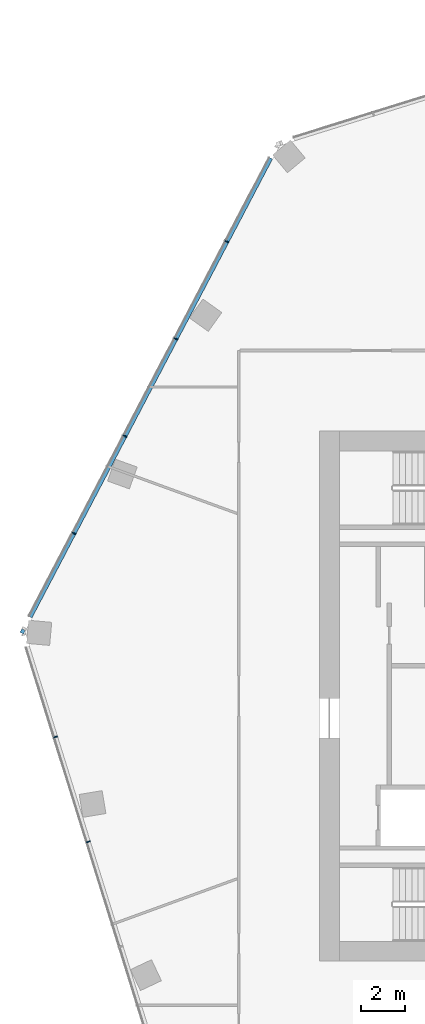
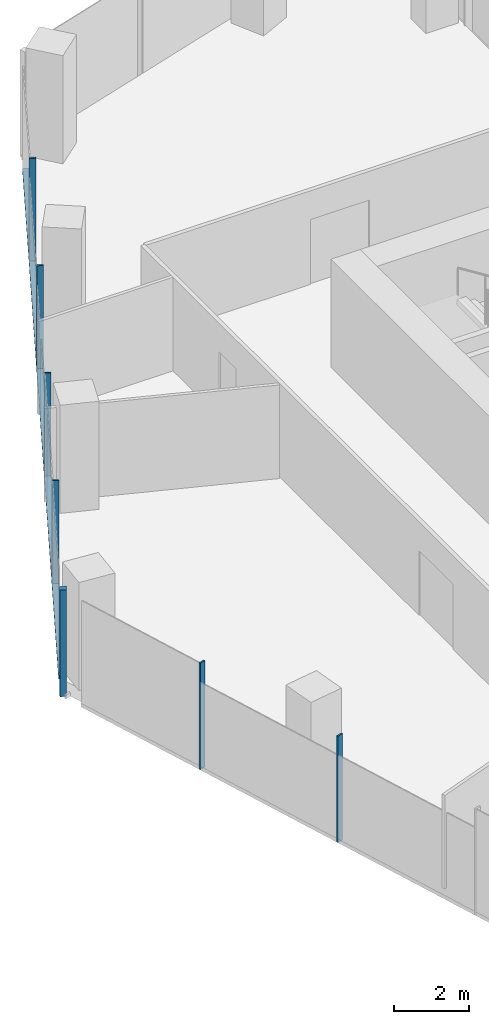
# One storey, part 6 of 24: 8 members, 2 elements without a shape of their own.
"""IFC4 building model written with IfcOpenShell, lengths in metres."""

from ifc_helpers import new_model, si_unit, direction, frame, origin, origin_2d, place, context, subcontext, project, spatial, rectangle, extrude, material, material_profile, profile_set, type_object, element, aggregate, save


model = new_model("IFC4")

# Units and contexts
model_context = context("Model", 3, precision=1e-05, world=origin(), true_north=direction((0.0, 1.0)))
body_context = subcontext(model_context, "Body", "Model", "MODEL_VIEW")
ifc_project = project(units=[si_unit("LENGTHUNIT", "METRE"), si_unit("AREAUNIT", "SQUARE_METRE"), si_unit("VOLUMEUNIT", "CUBIC_METRE"), si_unit("PLANEANGLEUNIT", "RADIAN"), si_unit("MASSUNIT", "GRAM", prefix="KILO")], contexts=[model_context])

# Site, building, storey
site_placement = place(None, origin())
site = spatial("IfcSite", under=ifc_project, at=site_placement, CompositionType="ELEMENT")
building_placement = place(site_placement, origin())
building = spatial("IfcBuilding", under=site, at=building_placement, Name="Orlundy Tower", CompositionType="ELEMENT")
storey_placement = place(building_placement, frame((0.0, 0.0, 267.5)))
storey = spatial("IfcBuildingStorey", under=building, at=storey_placement, Name="L71", CompositionType="ELEMENT", Elevation=267.5)

# Curtain wall, member
ifc_material_1 = material(Name="Aluminium bronze anodised", Category="aluminium")
curtain_wall_type = type_object("IfcCurtainWallType", Name="CW1 wall", PredefinedType="NOTDEFINED", material=ifc_material_1)
curtain_wall_1_placement = place(storey_placement, origin())
curtain_wall_1 = element("IfcCurtainWall", 1, at=curtain_wall_1_placement, inside=storey, type_object=curtain_wall_type, Name="CW1 run 02", PredefinedType="NOTDEFINED")
ifc_material_2 = material(Name="Aluminium bronze anodised", Category="aluminium")
ifc_material_profile_1 = material_profile(ifc_material_2, rectangle(XDim=0.179931640625, YDim=0.179931640625, at=origin_2d()), Name="CW1 corner post 180x180")
ifc_profile_set_1 = profile_set([ifc_material_profile_1], Name="Aluminium bronze anodised")
member_type_1 = type_object("IfcMemberType", Name="CW1 corner post 180x180", PredefinedType="MULLION", material=ifc_profile_set_1)
member_1_placement = place(storey_placement, frame((-32.43701171875, 2.932861328125, -0.39990234375), z_axis=(0.0, 0.0, 1.0), x_axis=(-0.885658998646, 0.464336233904, 0.0)))
member_1 = element("IfcMember", 2, at=member_1_placement, type_object=member_type_1, Name="CW1 mullion 8", PredefinedType="MULLION", context=body_context, shape_type="SweptSolid", body=[
    extrude(rectangle(XDim=0.179931640625, YDim=0.179931640625, at=origin_2d()), origin(), (0.0, 0.0, 1.0), 3.449951171875),
])

# Curtain wall, members
curtain_wall_2_placement = place(storey_placement, origin())
curtain_wall_2 = element("IfcCurtainWall", 3, at=curtain_wall_2_placement, inside=storey, type_object=curtain_wall_type, Name="CW1 run 01", PredefinedType="NOTDEFINED")
ifc_material_3 = material(Name="Aluminium bronze anodised", Category="aluminium")
ifc_material_profile_2 = material_profile(ifc_material_3, rectangle(XDim=0.179931640625, YDim=0.050048828125, at=origin_2d()), Name="CW1 mullion 50x180")
ifc_profile_set_2 = profile_set([ifc_material_profile_2], Name="Aluminium bronze anodised")
member_type_2 = type_object("IfcMemberType", Name="CW1 mullion 50x180", PredefinedType="MULLION", material=ifc_profile_set_2)
member_2_placement = place(storey_placement, frame((-29.4638671875, -6.592529296875, -0.39990234375), z_axis=(0.0, 0.0, 1.0), x_axis=(-0.954580158408, -0.297954226643, 0.0)))
member_2 = element("IfcMember", 4, at=member_2_placement, type_object=member_type_2, Name="CW1 mullion 6", PredefinedType="MULLION", context=body_context, shape_type="SweptSolid", body=[
    extrude(rectangle(XDim=0.179931640625, YDim=0.050048828125, at=origin_2d()), origin(), (0.0, 0.0, 1.0), 3.449951171875),
])
member_3_placement = place(storey_placement, frame((-30.94482421875, -1.84765625, -0.39990234375), z_axis=(0.0, 0.0, 1.0), x_axis=(-0.954580158408, -0.297954226643, 0.0)))
member_3 = element("IfcMember", 5, at=member_3_placement, type_object=member_type_2, Name="CW1 mullion 7", PredefinedType="MULLION", context=body_context, shape_type="SweptSolid", body=[
    extrude(rectangle(XDim=0.179931640625, YDim=0.050048828125, at=origin_2d()), origin(), (0.0, 0.0, 1.0), 3.449951171875),
])
aggregate(curtain_wall_2, [member_2, member_3])

# Member
member_4_placement = place(storey_placement, frame((-30.11181640625, 7.367919921875, -0.39990234375), z_axis=(0.0, 0.0, 1.0), x_axis=(-0.885658998646, 0.464336233904, 0.0)))
member_4 = element("IfcMember", 6, at=member_4_placement, type_object=member_type_2, Name="CW1 mullion 9", PredefinedType="MULLION", context=body_context, shape_type="SweptSolid", body=[
    extrude(rectangle(XDim=0.179931640625, YDim=0.050048828125, at=origin_2d()), origin(), (0.0, 0.0, 1.0), 3.449951171875),
])

member_5_placement = place(storey_placement, frame((-27.8037109375, 11.770263671875, -0.39990234375), z_axis=(0.0, 0.0, 1.0), x_axis=(-0.885658998646, 0.464336233904, 0.0)))
member_5 = element("IfcMember", 7, at=member_5_placement, type_object=member_type_2, Name="CW1 mullion 10", PredefinedType="MULLION", context=body_context, shape_type="SweptSolid", body=[
    extrude(rectangle(XDim=0.179931640625, YDim=0.050048828125, at=origin_2d()), origin(), (0.0, 0.0, 1.0), 3.449951171875),
])

member_6_placement = place(storey_placement, frame((-25.49560546875, 16.17236328125, -0.39990234375), z_axis=(0.0, 0.0, 1.0), x_axis=(-0.885658998646, 0.464336233904, 0.0)))
member_6 = element("IfcMember", 8, at=member_6_placement, type_object=member_type_2, Name="CW1 mullion 11", PredefinedType="MULLION", context=body_context, shape_type="SweptSolid", body=[
    extrude(rectangle(XDim=0.179931640625, YDim=0.050048828125, at=origin_2d()), origin(), (0.0, 0.0, 1.0), 3.449951171875),
])

member_7_placement = place(storey_placement, frame((-23.187744140625, 20.57470703125, -0.39990234375), z_axis=(0.0, 0.0, 1.0), x_axis=(-0.885658998646, 0.464336233904, 0.0)))
member_7 = element("IfcMember", 9, at=member_7_placement, type_object=member_type_2, Name="CW1 mullion 12", PredefinedType="MULLION", context=body_context, shape_type="SweptSolid", body=[
    extrude(rectangle(XDim=0.179931640625, YDim=0.050048828125, at=origin_2d()), origin(), (0.0, 0.0, 1.0), 3.449951171875),
])

ifc_material_4 = material(Name="Aluminium bronze anodised", Category="aluminium")
ifc_material_profile_3 = material_profile(ifc_material_4, rectangle(XDim=0.179931640625, YDim=0.1201171875, at=origin_2d()), Name="CW1 transom 180x120")
ifc_profile_set_3 = profile_set([ifc_material_profile_3], Name="Aluminium bronze anodised")
member_type_3 = type_object("IfcMemberType", Name="CW1 transom 180x120", PredefinedType="USERDEFINED", material=ifc_profile_set_3)
member_8_placement = place(storey_placement, frame((-32.097412109375, 3.580322265625, -0.340087890625), z_axis=(0.464330802245, 0.885661846353, 0.0), x_axis=(-0.885661846353, 0.464330802245, 0.0)))
member_8 = element("IfcMember", 10, at=member_8_placement, type_object=member_type_3, Name="CW1 transom", ObjectType="TRANSOM", PredefinedType="USERDEFINED", context=body_context, shape_type="SweptSolid", body=[
    extrude(rectangle(XDim=0.179931640625, YDim=0.1201171875, at=origin_2d()), origin(), (0.0, 0.0, 1.0), 23.466064453125),
])

aggregate(curtain_wall_1, [member_1, member_4, member_5, member_6, member_7, member_8])

save(model, "model.ifc")
